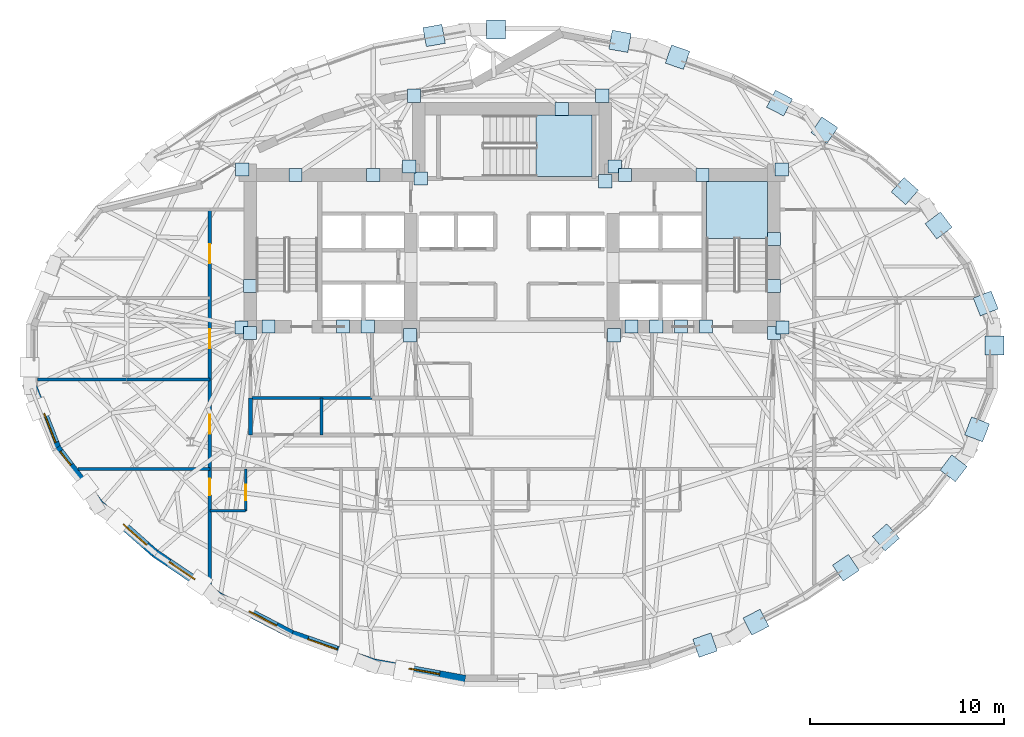
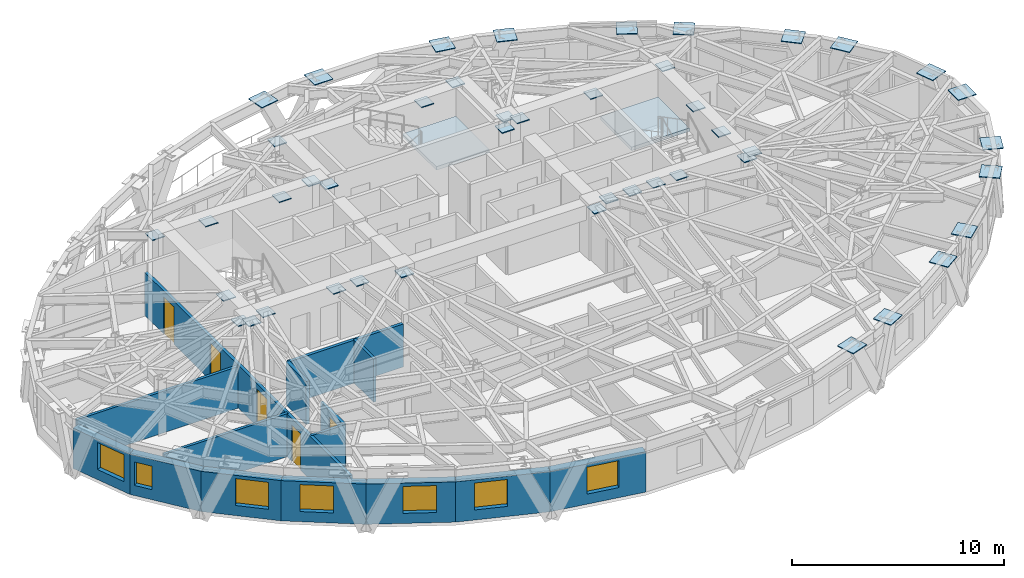
# One storey, part 6 of 14: 45 plates, 15 walls, 7 windows, 5 doors, 2 slabs, 12 openings, 2 elements without a shape of their own.
"""IFC4 building model written with IfcOpenShell, lengths in metres."""

from ifc_helpers import new_model, si_unit, direction, frame, frame_2d, origin, origin_2d, place, context, subcontext, project, spatial, polyline, rectangle, outline, extrude, material, layer, layer_set, type_object, element, fill, aggregate, save


model = new_model("IFC4")

# Units and contexts
model_context = context("Model", 3, precision=1e-05, world=origin(), true_north=direction((0.0, 1.0)))
body_context = subcontext(model_context, "Body", "Model", "MODEL_VIEW")
ifc_project = project(units=[si_unit("LENGTHUNIT", "METRE"), si_unit("AREAUNIT", "SQUARE_METRE"), si_unit("VOLUMEUNIT", "CUBIC_METRE"), si_unit("PLANEANGLEUNIT", "RADIAN"), si_unit("MASSUNIT", "GRAM", prefix="KILO")], contexts=[model_context])

# Site, building, storey
site_placement = place(None, origin())
site = spatial("IfcSite", under=ifc_project, at=site_placement, CompositionType="ELEMENT")
building_placement = place(site_placement, origin())
building = spatial("IfcBuilding", under=site, at=building_placement, Name="Keldmark Tower", CompositionType="ELEMENT")
storey_placement = place(building_placement, frame((0.0, 0.0, 175.800048828125)))
storey = spatial("IfcBuildingStorey", under=building, at=storey_placement, Name="L48", CompositionType="ELEMENT", Elevation=175.800048828125)

# Plates
ifc_material_1 = material(Name="Steel ASTM A572 Grade 50", Category="steel")
ifc_layer_1 = layer(ifc_material_1, 0.06005859375)
ifc_layer_set_1 = layer_set([ifc_layer_1], Name="Steel ASTM A572 Grade 50")
plate_type_1 = type_object("IfcPlateType", Name="Belt Truss Kink Node Assembly KN01 60 mm", PredefinedType="USERDEFINED", material=ifc_layer_set_1)
for number, where, z_axis, x_axis, name in (
    (1, (13.91162109375, 1.473388671875, 2.72412109375), (0.0, 0.0, 1.0), (1.0, 0.0, 0.0), "L48 Core Wall Cast-In Embed Plate 1408"),
    (2, (13.878173828125, 9.608154296875, 2.72412109375), (0.0, 0.0, 1.0), (1.0, 0.0, 0.0), "L48 Core Wall Cast-In Embed Plate 1409"),
    (3, (5.28515625, 9.758544921875, 2.72412109375), (0.0, 0.0, 1.0), (1.0, 0.0, 0.0), "L48 Core Wall Cast-In Embed Plate 1410"),
    (4, (-5.28515625, 9.758544921875, 2.72412109375), (0.0, 0.0, 1.0), (1.0, 0.0, 0.0), "L48 Core Wall Cast-In Embed Plate 1411"),
    (5, (-13.878173828125, 9.608154296875, 2.72412109375), (0.0, 0.0, 1.0), (1.0, 0.0, 0.0), "L48 Core Wall Cast-In Embed Plate 1412"),
    (6, (-13.91162109375, 1.473388671875, 2.72412109375), (0.0, 0.0, 1.0), (1.0, 0.0, 0.0), "L48 Core Wall Cast-In Embed Plate 1413"),
    (7, (-5.24072265625, 1.08251953125, 2.72412109375), (0.0, 0.0, 1.0), (1.0, 0.0, 0.0), "L48 Core Wall Cast-In Embed Plate 1414"),
    (8, (5.24072265625, 1.08251953125, 2.72412109375), (0.0, 0.0, 1.0), (1.0, 0.0, 0.0), "L48 Core Wall Cast-In Embed Plate 1415"),
    (9, (4.800048828125, 9.0, 2.72412109375), (0.0, 0.0, 1.0), (1.0, 0.0, 0.0), "L48 Core Wall Cast-In Embed Plate 1416"),
    (10, (-4.699951171875, 9.139892578125, 2.72412109375), (0.0, 0.0, 1.0), (1.0, 0.0, 0.0), "L48 Core Wall Cast-In Embed Plate 1417"),
    (11, (-13.47509765625, 1.199951171875, 2.72412109375), (0.0, 0.0, 1.0), (1.0, 0.0, 0.0), "L48 Core Wall Cast-In Embed Plate 1418"),
    (12, (-7.425048828125, 1.52490234375, 2.72412109375), (0.0, 0.0, 1.0), (1.0, 0.0, 0.0), "L48 Core Wall Cast-In Embed Plate 1419"),
    (13, (7.425048828125, 1.52490234375, 2.72412109375), (0.0, 0.0, 1.0), (1.0, 0.0, 0.0), "L48 Core Wall Cast-In Embed Plate 1420"),
    (14, (13.47509765625, 1.199951171875, 2.72412109375), (0.0, 0.0, 1.0), (1.0, 0.0, 0.0), "L48 Core Wall Cast-In Embed Plate 1421"),
    (15, (-12.52490234375, 1.52490234375, 2.72412109375), (0.0, 0.0, 1.0), (1.0, 0.0, 0.0), "L48 Core Wall Cast-In Embed Plate 1422"),
    (16, (13.47509765625, 3.6142578125, 2.72412109375), (0.0, 0.0, 1.0), (1.0, 0.0, 0.0), "L48 Core Wall Cast-In Embed Plate 1423"),
    (17, (5.80712890625, 9.324951171875, 2.72412109375), (0.0, 0.0, 1.0), (1.0, 0.0, 0.0), "L48 Core Wall Cast-In Embed Plate 1424"),
    (18, (4.643798828125, 13.400146484375, 2.72412109375), (0.0, 0.0, 1.0), (1.0, 0.0, 0.0), "L48 Core Wall Cast-In Embed Plate 1425"),
    (19, (9.8037109375, 9.324951171875, 2.72412109375), (0.0, 0.0, 1.0), (1.0, 0.0, 0.0), "L48 Core Wall Cast-In Embed Plate 1426"),
    (20, (-5.041259765625, 13.400146484375, 2.72412109375), (0.0, 0.0, 1.0), (1.0, 0.0, 0.0), "L48 Core Wall Cast-In Embed Plate 1427"),
    (21, (-11.1357421875, 9.324951171875, 2.72412109375), (0.0, 0.0, 1.0), (1.0, 0.0, 0.0), "L48 Core Wall Cast-In Embed Plate 1428"),
    (22, (-7.139404296875, 9.324951171875, 2.72412109375), (0.0, 0.0, 1.0), (1.0, 0.0, 0.0), "L48 Core Wall Cast-In Embed Plate 1429"),
    (23, (-13.47509765625, 3.6142578125, 2.72412109375), (0.0, 0.0, 1.0), (1.0, 0.0, 0.0), "L48 Core Wall Cast-In Embed Plate 1430"),
    (24, (-8.699951171875, 1.52490234375, 2.72412109375), (0.0, 0.0, 1.0), (1.0, 0.0, 0.0), "L48 Core Wall Cast-In Embed Plate 1431"),
    (25, (8.699951171875, 1.52490234375, 2.72412109375), (0.0, 0.0, 1.0), (1.0, 0.0, 0.0), "L48 Core Wall Cast-In Embed Plate 1432"),
    (26, (6.14990234375, 1.52490234375, 2.72412109375), (0.0, 0.0, 1.0), (1.0, 0.0, 0.0), "L48 Core Wall Cast-In Embed Plate 1433"),
    (27, (9.97509765625, 1.52490234375, 2.72412109375), (0.0, 0.0, 1.0), (1.0, 0.0, 0.0), "L48 Core Wall Cast-In Embed Plate 1434"),
    (28, (2.5625, 12.72509765625, 2.72412109375), (0.0, 0.0, 1.0), (1.0, 0.0, 0.0), "L48 Core Wall Cast-In Embed Plate 1435"),
    (29, (13.47509765625, 6.028564453125, 2.72412109375), (0.0, 0.0, 1.0), (1.0, 0.0, 0.0), "L48 Core Wall Cast-In Embed Plate 1436"),
):
    element("IfcPlate", number, at=place(storey_placement, frame(where, z_axis=z_axis, x_axis=x_axis)), inside=storey, type_object=plate_type_1, Name=name, ObjectType="CAP PLATE", PredefinedType="USERDEFINED", context=body_context, shape_type="SweptSolid", body=[
        extrude(rectangle(XDim=0.679931640625, YDim=0.679931640625, at=origin_2d()), origin(), (0.0, 0.0, 1.0), 0.054931640625),
    ])
ifc_material_2 = material(Name="Steel ASTM A572 Grade 50", Category="steel")
ifc_layer_2 = layer(ifc_material_2, 0.044921875)
ifc_layer_set_2 = layer_set([ifc_layer_2], Name="Steel ASTM A572 Grade 50")
plate_type_2 = type_object("IfcPlateType", Name="Diagrid Node Assembly DN04 45 mm", PredefinedType="USERDEFINED", material=ifc_layer_set_2)
for number, where, z_axis, x_axis, name in (
    (30, (24.37158203125, 2.715087890625, 2.87744140625), (0.0, 0.0, 1.0), (-0.365364233984, 0.930864639207, 0.0), "L48 Diagrid Node Assembly 01"),
    (31, (21.949462890625, 6.727294921875, 2.87744140625), (0.0, 0.0, 1.0), (-0.604599114862, 0.796529918024, 0.0), "L48 Diagrid Node Assembly 02"),
    (32, (20.210693359375, 8.498046875, 2.87744140625), (0.0, 0.0, 1.0), (-0.749533680611, 0.661966208828, 0.0), "L48 Diagrid Node Assembly 03"),
    (33, (16.072998046875, 11.631103515625, 2.87744140625), (0.0, 0.0, 1.0), (-0.827766671236, 0.56107248907, 0.0), "L48 Diagrid Node Assembly 04"),
    (34, (13.76318359375, 13.027587890625, 2.87744140625), (0.0, 0.0, 1.0), (-0.887091410004, 0.461593793608, 0.0), "L48 Diagrid Node Assembly 05"),
    (35, (8.516357421875, 15.385009765625, 2.87744140625), (0.0, 0.0, 1.0), (-0.944204046619, 0.329361075947, 0.0), "L48 Diagrid Node Assembly 06"),
    (36, (5.5595703125, 16.2021484375, 2.87744140625), (0.0, 0.0, 1.0), (-0.984102751709, 0.177600039637, 0.0), "L48 Diagrid Node Assembly 07"),
    (37, (-0.82275390625, 16.805419921875, 2.87744140625), (0.0, 0.0, 1.0), (-1.0, 0.0, 0.0), "L48 Diagrid Node Assembly 08"),
    (38, (-4.0078125, 16.502685546875, 2.87744140625), (0.0, 0.0, 1.0), (-0.984102751709, -0.177600039637, 0.0), "L48 Diagrid Node Assembly 09"),
    (39, (9.931884765625, -14.861328125, 2.87744140625), (0.0, 0.0, 1.0), (0.944204046619, 0.329361075947, 0.0), "L48 Diagrid Node Assembly 26"),
    (40, (12.54931640625, -13.68408203125, 2.87744140625), (0.0, 0.0, 1.0), (0.887091410004, 0.461593793608, 0.0), "L48 Diagrid Node Assembly 27"),
    (41, (17.175537109375, -10.881103515625, 2.87744140625), (0.0, 0.0, 1.0), (0.827766671236, 0.56107248907, 0.0), "L48 Diagrid Node Assembly 28"),
    (42, (19.2392578125, -9.31787109375, 2.87744140625), (0.0, 0.0, 1.0), (0.749533680611, 0.661966208828, 0.0), "L48 Diagrid Node Assembly 29"),
    (43, (22.719482421875, -5.76416015625, 2.87744140625), (0.0, 0.0, 1.0), (0.604599114862, 0.796529918024, 0.0), "L48 Diagrid Node Assembly 30"),
    (44, (23.92724609375, -3.76318359375, 2.87744140625), (0.0, 0.0, 1.0), (0.365364233984, 0.930864639207, 0.0), "L48 Diagrid Node Assembly 31"),
    (45, (24.818359375, 0.5595703125, 2.87744140625), (0.0, 0.0, 1.0), (0.0, 1.0, 0.0), "L48 Diagrid Node Assembly 32"),
):
    element("IfcPlate", number, at=place(storey_placement, frame(where, z_axis=z_axis, x_axis=x_axis)), inside=storey, type_object=plate_type_2, Name=name, ObjectType="GUSSET", PredefinedType="USERDEFINED", context=body_context, shape_type="SweptSolid", body=[
        extrude(rectangle(XDim=0.989990234375, YDim=0.989990234375, at=origin_2d()), origin(), (0.0, 0.0, 1.0), 0.044921875),
    ])

# Stair, slab
ifc_material_3 = material(Name="Concrete C40/50", Category="concrete")
stair_type = type_object("IfcStairType", Name="Precast Concrete Core Exit Stair", PredefinedType="HALF_TURN_STAIR", material=ifc_material_3)
stair_1_placement = place(storey_placement, origin())
stair_1 = element("IfcStair", 46, at=stair_1_placement, inside=storey, type_object=stair_type, Name="L48 Exit Stair ST2", PredefinedType="HALF_TURN_STAIR")
ifc_material_4 = material(Name="Concrete C40/50", Category="concrete")
ifc_layer_3 = layer(ifc_material_4, 0.199951171875)
ifc_layer_set_3 = layer_set([ifc_layer_3], Name="Concrete C40/50")
slab_type = type_object("IfcSlabType", Name="Reinforced Concrete Stair Landing 200 mm", PredefinedType="LANDING", material=ifc_layer_set_3)
slab_1_placement = place(storey_placement, frame((0.0, 0.0, 1.39990234375)))
slab_1 = element("IfcSlab", 47, at=slab_1_placement, type_object=slab_type, Name="ST2 landing 1", PredefinedType="LANDING", context=body_context, shape_type="SweptSolid", body=[
    extrude(outline(polyline([(13.14990234375, 6.050048828125), (13.14990234375, 9.0), (10.0, 9.0), (10.0, 6.050048828125), (13.14990234375, 6.050048828125)])), origin(), (0.0, 0.0, 1.0), 0.199951171875),
])
aggregate(stair_1, [slab_1])

stair_2_placement = place(storey_placement, origin())
stair_2 = element("IfcStair", 48, at=stair_2_placement, inside=storey, type_object=stair_type, Name="L48 Exit Stair ST3", PredefinedType="HALF_TURN_STAIR")
slab_2_placement = place(storey_placement, frame((0.0, 0.0, 1.39990234375)))
slab_2 = element("IfcSlab", 49, at=slab_2_placement, type_object=slab_type, Name="ST3 landing 1", PredefinedType="LANDING", context=body_context, shape_type="SweptSolid", body=[
    extrude(outline(polyline([(1.22509765625, 9.25), (4.10498046875, 9.25), (4.10498046875, 12.39990234375), (1.22509765625, 12.39990234375), (1.22509765625, 9.25)])), origin(), (0.0, 0.0, 1.0), 0.199951171875),
])
aggregate(stair_2, [slab_2])

# Walls
ifc_material_5 = material(Name="Heavy Acoustic Plumbing Chase Gypsum Assembly", Category="gypsum")
ifc_layer_4 = layer(ifc_material_5, 0.18994140625)
ifc_layer_set_4 = layer_set([ifc_layer_4], Name="Heavy Acoustic Plumbing Chase Gypsum Assembly")
wall_type_1 = type_object("IfcWallType", Name="Heavy Wet Wall 190 mm", PredefinedType="PLUMBINGWALL", material=ifc_layer_set_4)
wall_1_placement = place(storey_placement, frame((-13.449951171875, -4.050048828125, 0.0), z_axis=(0.0, 0.0, 1.0), x_axis=(0.0, 1.0, 0.0)))
element("IfcWall", 50, at=wall_1_placement, inside=storey, type_object=wall_type_1, Name="L48 Heavy Wet Wall 190 mm SPK-W-W", PredefinedType="PLUMBINGWALL", context=body_context, shape_type="SweptSolid", body=[
    extrude(rectangle(XDim=1.900146484375, YDim=0.18994140625, at=frame_2d((0.9501953125, 0.0))), origin(), (0.0, 0.0, 1.0), 2.472900390625),
])
ifc_material_6 = material(Name="Type X Fire-Rated Gypsum Partition Assembly", Category="gypsum")
ifc_layer_5 = layer(ifc_material_6, 0.1650390625)
ifc_layer_set_5 = layer_set([ifc_layer_5], Name="Type X Fire-Rated Gypsum Partition Assembly")
wall_type_2 = type_object("IfcWallType", Name="Rated Partition 165 mm", PredefinedType="PARTITIONING", material=ifc_layer_set_5)
wall_2_placement = place(storey_placement, frame((-13.449951171875, -2.14990234375, 0.0), z_axis=(0.0, 0.0, 1.0), x_axis=(1.0, 0.0, 0.0)))
element("IfcWall", 51, at=wall_2_placement, inside=storey, type_object=wall_type_2, Name="L48 Rated Partition 165 mm FSAE-W-S", PredefinedType="PARTITIONING", context=body_context, shape_type="SweptSolid", body=[
    extrude(rectangle(XDim=6.25, YDim=0.1650390625, at=frame_2d((3.125, 0.0))), origin(), (0.0, 0.0, 1.0), 2.472900390625),
])

# Wall, openings, doors
wall_3_placement = place(storey_placement, frame((-15.550048828125, -11.77099609375, 0.0), z_axis=(0.0, 0.0, 1.0), x_axis=(0.0, 1.0, 0.0)))
wall_3 = element("IfcWall", 52, at=wall_3_placement, inside=storey, type_object=wall_type_2, Name="L48 Rated Partition 165 mm HCOR-W", PredefinedType="PARTITIONING", context=body_context, shape_type="SweptSolid", body=[
    extrude(rectangle(XDim=19.321044921875, YDim=0.1650390625, at=frame_2d((9.66064453125, 0.0))), origin(), (0.0, 0.0, 1.0), 2.472900390625),
])
opening_1_placement = place(wall_3_placement, frame((4.62060546875, 0.0, 0.0)))
opening_1 = element("IfcOpeningElement", 53, at=opening_1_placement, cuts=wall_3, Name="Opening D-IN085", PredefinedType="OPENING", context=body_context, shape_type="SweptSolid", body=[
    extrude(rectangle(XDim=0.85009765625, YDim=2.10009765625, at=frame_2d((0.425048828125, 1.050048828125))), frame((0.0, 0.092529296875, 0.0), z_axis=(0.0, -1.0, 0.0), x_axis=(1.0, 0.0, 0.0)), (0.0, 0.0, 1.0), 0.18505859375),
])
opening_2_placement = place(wall_3_placement, frame((7.771484375, 0.0, 0.0)))
opening_2 = element("IfcOpeningElement", 54, at=opening_2_placement, cuts=wall_3, Name="Opening D-FD100", PredefinedType="OPENING", context=body_context, shape_type="SweptSolid", body=[
    extrude(rectangle(XDim=1.0, YDim=2.14990234375, at=frame_2d((0.5, 1.074951171875))), frame((0.0, 0.092529296875, 0.0), z_axis=(0.0, -1.0, 0.0), x_axis=(1.0, 0.0, 0.0)), (0.0, 0.0, 1.0), 0.18505859375),
])
opening_3_placement = place(wall_3_placement, frame((12.171630859375, 0.0, 0.0)))
opening_3 = element("IfcOpeningElement", 55, at=opening_3_placement, cuts=wall_3, Name="Opening D-FD100", PredefinedType="OPENING", context=body_context, shape_type="SweptSolid", body=[
    extrude(rectangle(XDim=1.0, YDim=2.14990234375, at=frame_2d((0.5, 1.074951171875))), frame((0.0, 0.092529296875, 0.0), z_axis=(0.0, -1.0, 0.0), x_axis=(1.0, 0.0, 0.0)), (0.0, 0.0, 1.0), 0.18505859375),
])
opening_4_placement = place(wall_3_placement, frame((16.546630859375, 0.0, 0.0)))
opening_4 = element("IfcOpeningElement", 56, at=opening_4_placement, cuts=wall_3, Name="Opening D-FD100", PredefinedType="OPENING", context=body_context, shape_type="SweptSolid", body=[
    extrude(rectangle(XDim=1.0, YDim=2.14990234375, at=frame_2d((0.5, 1.074951171875))), frame((0.0, 0.092529296875, 0.0), z_axis=(0.0, -1.0, 0.0), x_axis=(1.0, 0.0, 0.0)), (0.0, 0.0, 1.0), 0.18505859375),
])
ifc_material_7 = material(Name="Hollow Metal Fire-Rated Corridor Door", Category="metal")
door_type_1 = type_object("IfcDoorType", Name="Fire Door 1000x2150", OperationType="NOTDEFINED", PredefinedType="DOOR", material=ifc_material_7)
door_1_placement = place(opening_2_placement, origin())
door_1 = element("IfcDoor", 57, at=door_1_placement, inside=storey, type_object=door_type_1, Name="L48 Fire Door 1000x2150 D-HWSP-1-L48", OperationType="SINGLE_SWING_RIGHT", OverallHeight=2.14990234375, OverallWidth=1.0, PredefinedType="DOOR", context=body_context, shape_type="SweptSolid", body=[
    extrude(rectangle(XDim=1.0, YDim=2.14990234375, at=frame_2d((0.5, 1.074951171875))), frame((0.0, 0.02490234375, 0.0), z_axis=(0.0, -1.0, 0.0), x_axis=(1.0, 0.0, 0.0)), (0.0, 0.0, 1.0), 0.050048828125),
])
fill(opening_2, door_1)
door_2_placement = place(opening_3_placement, origin())
door_2 = element("IfcDoor", 58, at=door_2_placement, inside=storey, type_object=door_type_1, Name="L48 Fire Door 1000x2150 D-HWSP-2-L48", OperationType="SINGLE_SWING_LEFT", OverallHeight=2.14990234375, OverallWidth=1.0, PredefinedType="DOOR", context=body_context, shape_type="SweptSolid", body=[
    extrude(rectangle(XDim=1.0, YDim=2.14990234375, at=frame_2d((0.5, 1.074951171875))), frame((0.0, 0.02490234375, 0.0), z_axis=(0.0, -1.0, 0.0), x_axis=(1.0, 0.0, 0.0)), (0.0, 0.0, 1.0), 0.050048828125),
])
fill(opening_3, door_2)
door_3_placement = place(opening_4_placement, origin())
door_3 = element("IfcDoor", 59, at=door_3_placement, inside=storey, type_object=door_type_1, Name="L48 Fire Door 1000x2150 D-HWSP-3-L48", OperationType="SINGLE_SWING_LEFT", OverallHeight=2.14990234375, OverallWidth=1.0, PredefinedType="DOOR", context=body_context, shape_type="SweptSolid", body=[
    extrude(rectangle(XDim=1.0, YDim=2.14990234375, at=frame_2d((0.5, 1.074951171875))), frame((0.0, 0.02490234375, 0.0), z_axis=(0.0, -1.0, 0.0), x_axis=(1.0, 0.0, 0.0)), (0.0, 0.0, 1.0), 0.050048828125),
])
fill(opening_4, door_3)
ifc_material_8 = material(Name="Painted Architectural Wood", Category="wood")
door_type_2 = type_object("IfcDoorType", Name="Interior Door 850x2100", OperationType="NOTDEFINED", PredefinedType="DOOR", material=ifc_material_8)
door_4_placement = place(opening_1_placement, origin())
door_4 = element("IfcDoor", 60, at=door_4_placement, inside=storey, type_object=door_type_2, Name="L48 Interior Door 850x2100 D-HKSW-L48", OperationType="SINGLE_SWING_LEFT", OverallHeight=2.10009765625, OverallWidth=0.85009765625, PredefinedType="DOOR", context=body_context, shape_type="SweptSolid", body=[
    extrude(rectangle(XDim=0.85009765625, YDim=2.10009765625, at=frame_2d((0.425048828125, 1.050048828125))), frame((0.0, 0.02490234375, 0.0), z_axis=(0.0, -1.0, 0.0), x_axis=(1.0, 0.0, 0.0)), (0.0, 0.0, 1.0), 0.050048828125),
])
fill(opening_1, door_4)

# Wall, opening, window
ifc_material_9 = material(Name="Ironspot Manganese Brick and Kasota Buff Limestone Spandrel Assembly", Category="masonry")
ifc_layer_6 = layer(ifc_material_9, 0.43994140625)
ifc_layer_set_6 = layer_set([ifc_layer_6], Name="Ironspot Manganese Brick and Kasota Buff Limestone Spandrel Assembly")
wall_type_3 = type_object("IfcWallType", Name="Tower Brick Pier and Spandrel Wall 440 mm", PredefinedType="STANDARD", material=ifc_layer_set_6)
wall_4_placement = place(storey_placement, frame((-23.39697265625, -4.773193359375, 0.0), z_axis=(0.0, 0.0, 1.0), x_axis=(-0.365421225195, 0.930842268151, 0.0)))
wall_4 = element("IfcWall", 61, at=wall_4_placement, inside=storey, type_object=wall_type_3, Name="L48 Exterior Brick and Spandrel Wall 17", PredefinedType="STANDARD", context=body_context, shape_type="SweptSolid", body=[
    extrude(rectangle(XDim=3.431396484375, YDim=0.43994140625, at=frame_2d((1.7158203125, 0.0))), origin(), (0.0, 0.0, 1.0), 2.31494140625),
])
opening_5_placement = place(wall_4_placement, frame((0.34814453125, 0.0, 0.580078125)))
opening_5 = element("IfcOpeningElement", 62, at=opening_5_placement, cuts=wall_4, Name="Opening W-04", PredefinedType="OPENING", context=body_context, shape_type="SweptSolid", body=[
    extrude(rectangle(XDim=1.60009765625, YDim=1.550048828125, at=frame_2d((0.800048828125, 0.77490234375))), frame((0.0, 0.22998046875, 0.0), z_axis=(0.0, -1.0, 0.0), x_axis=(1.0, 0.0, 0.0)), (0.0, 0.0, 1.0), 0.4599609375),
])
ifc_material_10 = material(Name="Thermally Broken Anodized Aluminum and Triple Low-E Argon Glazing", Category="aluminium")
window_type_1 = type_object("IfcWindowType", Name="Hotel Deep-Set Operable Window 1600x1550", PartitioningType="DOUBLE_PANEL_HORIZONTAL", PredefinedType="WINDOW", material=ifc_material_10)
window_1_placement = place(opening_5_placement, origin())
window_1 = element("IfcWindow", 63, at=window_1_placement, inside=storey, type_object=window_type_1, Name="L48 Deep-Set Window 17", OverallHeight=1.550048828125, OverallWidth=1.60009765625, PartitioningType="SINGLE_PANEL", PredefinedType="WINDOW", context=body_context, shape_type="SweptSolid", body=[
    extrude(rectangle(XDim=1.60009765625, YDim=1.550048828125, at=frame_2d((0.800048828125, 0.77490234375))), frame((0.0, -0.010009765625, 0.0), z_axis=(0.0, -1.0, 0.0), x_axis=(1.0, 0.0, 0.0)), (0.0, 0.0, 1.0), 0.06005859375),
])
fill(opening_5, window_1)

wall_5_placement = place(storey_placement, frame((-21.22509765625, -7.621337890625, 0.0), z_axis=(0.0, 0.0, 1.0), x_axis=(-0.604517065871, 0.796592189939, 0.0)))
wall_5 = element("IfcWall", 64, at=wall_5_placement, inside=storey, type_object=wall_type_3, Name="L48 Exterior Brick and Spandrel Wall 18", PredefinedType="STANDARD", context=body_context, shape_type="SweptSolid", body=[
    extrude(rectangle(XDim=3.6416015625, YDim=0.43994140625, at=frame_2d((1.82080078125, 0.0))), origin(), (0.0, 0.0, 1.0), 2.31494140625),
])
opening_6_placement = place(wall_5_placement, frame((2.49169921875, 0.0, 0.580078125)))
opening_6 = element("IfcOpeningElement", 65, at=opening_6_placement, cuts=wall_5, Name="Opening W-09", PredefinedType="OPENING", context=body_context, shape_type="SweptSolid", body=[
    extrude(rectangle(XDim=0.89990234375, YDim=1.35009765625, at=frame_2d((0.449951171875, 0.675048828125))), frame((0.0, 0.22998046875, 0.0), z_axis=(0.0, -1.0, 0.0), x_axis=(1.0, 0.0, 0.0)), (0.0, 0.0, 1.0), 0.4599609375),
])
ifc_material_11 = material(Name="Thermally Broken Anodized Aluminum and Triple Low-E Argon Glazing", Category="aluminium")
window_type_2 = type_object("IfcWindowType", Name="Corner Pier Deep-Set Window 900x1350", PartitioningType="SINGLE_PANEL", PredefinedType="WINDOW", material=ifc_material_11)
window_2_placement = place(opening_6_placement, origin())
window_2 = element("IfcWindow", 66, at=window_2_placement, inside=storey, type_object=window_type_2, Name="L48 Deep-Set Window 18", OverallHeight=1.35009765625, OverallWidth=0.89990234375, PartitioningType="SINGLE_PANEL", PredefinedType="WINDOW", context=body_context, shape_type="SweptSolid", body=[
    extrude(rectangle(XDim=0.89990234375, YDim=1.35009765625, at=frame_2d((0.449951171875, 0.675048828125))), frame((0.0, -0.010009765625, 0.0), z_axis=(0.0, -1.0, 0.0), x_axis=(1.0, 0.0, 0.0)), (0.0, 0.0, 1.0), 0.06005859375),
])
fill(opening_6, window_2)

wall_6_placement = place(storey_placement, frame((-18.37060546875, -10.136474609375, 0.0), z_axis=(0.0, 0.0, 1.0), x_axis=(-0.749530401757, 0.661969921403, 0.0)))
wall_6 = element("IfcWall", 67, at=wall_6_placement, inside=storey, type_object=wall_type_3, Name="L48 Exterior Brick and Spandrel Wall 19", PredefinedType="STANDARD", context=body_context, shape_type="SweptSolid", body=[
    extrude(rectangle(XDim=3.847900390625, YDim=0.43994140625, at=frame_2d((1.923828125, 0.0))), origin(), (0.0, 0.0, 1.0), 2.31494140625),
])
opening_7_placement = place(wall_6_placement, frame((0.599609375, 0.0, 0.580078125)))
opening_7 = element("IfcOpeningElement", 68, at=opening_7_placement, cuts=wall_6, Name="Opening W-04", PredefinedType="OPENING", context=body_context, shape_type="SweptSolid", body=[
    extrude(rectangle(XDim=1.60009765625, YDim=1.550048828125, at=frame_2d((0.800048828125, 0.77490234375))), frame((0.0, 0.22998046875, 0.0), z_axis=(0.0, -1.0, 0.0), x_axis=(1.0, 0.0, 0.0)), (0.0, 0.0, 1.0), 0.4599609375),
])
window_3_placement = place(opening_7_placement, origin())
window_3 = element("IfcWindow", 69, at=window_3_placement, inside=storey, type_object=window_type_1, Name="L48 Deep-Set Window 19", OverallHeight=1.550048828125, OverallWidth=1.60009765625, PartitioningType="SINGLE_PANEL", PredefinedType="WINDOW", context=body_context, shape_type="SweptSolid", body=[
    extrude(rectangle(XDim=1.60009765625, YDim=1.550048828125, at=frame_2d((0.800048828125, 0.77490234375))), frame((0.0, -0.010009765625, 0.0), z_axis=(0.0, -1.0, 0.0), x_axis=(1.0, 0.0, 0.0)), (0.0, 0.0, 1.0), 0.06005859375),
])
fill(opening_7, window_3)

wall_7_placement = place(storey_placement, frame((-15.072509765625, -12.3701171875, 0.0), z_axis=(0.0, 0.0, 1.0), x_axis=(-0.827746348969, 0.561102469937, 0.0)))
wall_7 = element("IfcWall", 70, at=wall_7_placement, inside=storey, type_object=wall_type_3, Name="L48 Exterior Brick and Spandrel Wall 20", PredefinedType="STANDARD", context=body_context, shape_type="SweptSolid", body=[
    extrude(rectangle(XDim=4.01123046875, YDim=0.43994140625, at=frame_2d((2.005615234375, 0.0))), origin(), (0.0, 0.0, 1.0), 2.31494140625),
])
opening_8_placement = place(wall_7_placement, frame((1.5244140625, 0.0, 0.580078125)))
opening_8 = element("IfcOpeningElement", 71, at=opening_8_placement, cuts=wall_7, Name="Opening W-04", PredefinedType="OPENING", context=body_context, shape_type="SweptSolid", body=[
    extrude(rectangle(XDim=1.60009765625, YDim=1.550048828125, at=frame_2d((0.800048828125, 0.77490234375))), frame((0.0, 0.22998046875, 0.0), z_axis=(0.0, -1.0, 0.0), x_axis=(1.0, 0.0, 0.0)), (0.0, 0.0, 1.0), 0.4599609375),
])
window_4_placement = place(opening_8_placement, origin())
window_4 = element("IfcWindow", 72, at=window_4_placement, inside=storey, type_object=window_type_1, Name="L48 Deep-Set Window 20", OverallHeight=1.550048828125, OverallWidth=1.60009765625, PartitioningType="SINGLE_PANEL", PredefinedType="WINDOW", context=body_context, shape_type="SweptSolid", body=[
    extrude(rectangle(XDim=1.60009765625, YDim=1.550048828125, at=frame_2d((0.800048828125, 0.77490234375))), frame((0.0, -0.010009765625, 0.0), z_axis=(0.0, -1.0, 0.0), x_axis=(1.0, 0.0, 0.0)), (0.0, 0.0, 1.0), 0.06005859375),
])
fill(opening_8, window_4)

wall_8_placement = place(storey_placement, frame((-11.337158203125, -14.31201171875, 0.0), z_axis=(0.0, 0.0, 1.0), x_axis=(-0.887117685078, 0.461543294634, 0.0)))
wall_8 = element("IfcWall", 73, at=wall_8_placement, inside=storey, type_object=wall_type_3, Name="L48 Exterior Brick and Spandrel Wall 21", PredefinedType="STANDARD", context=body_context, shape_type="SweptSolid", body=[
    extrude(rectangle(XDim=4.2353515625, YDim=0.43994140625, at=frame_2d((2.11767578125, 0.0))), origin(), (0.0, 0.0, 1.0), 2.31494140625),
])
opening_9_placement = place(wall_8_placement, frame((0.8955078125, 0.0, 0.580078125)))
opening_9 = element("IfcOpeningElement", 74, at=opening_9_placement, cuts=wall_8, Name="Opening W-04", PredefinedType="OPENING", context=body_context, shape_type="SweptSolid", body=[
    extrude(rectangle(XDim=1.60009765625, YDim=1.550048828125, at=frame_2d((0.800048828125, 0.77490234375))), frame((0.0, 0.22998046875, 0.0), z_axis=(0.0, -1.0, 0.0), x_axis=(1.0, 0.0, 0.0)), (0.0, 0.0, 1.0), 0.4599609375),
])
window_5_placement = place(opening_9_placement, origin())
window_5 = element("IfcWindow", 75, at=window_5_placement, inside=storey, type_object=window_type_1, Name="L48 Deep-Set Window 21", OverallHeight=1.550048828125, OverallWidth=1.60009765625, PartitioningType="SINGLE_PANEL", PredefinedType="WINDOW", context=body_context, shape_type="SweptSolid", body=[
    extrude(rectangle(XDim=1.60009765625, YDim=1.550048828125, at=frame_2d((0.800048828125, 0.77490234375))), frame((0.0, -0.010009765625, 0.0), z_axis=(0.0, -1.0, 0.0), x_axis=(1.0, 0.0, 0.0)), (0.0, 0.0, 1.0), 0.06005859375),
])
fill(opening_9, window_5)

wall_9_placement = place(storey_placement, frame((-7.0869140625, -15.7919921875, 0.0), z_axis=(0.0, 0.0, 1.0), x_axis=(-0.944223944927, 0.329304026434, 0.0)))
wall_9 = element("IfcWall", 76, at=wall_9_placement, inside=storey, type_object=wall_type_3, Name="L48 Exterior Brick and Spandrel Wall 22", PredefinedType="STANDARD", context=body_context, shape_type="SweptSolid", body=[
    extrude(rectangle(XDim=4.531982421875, YDim=0.43994140625, at=frame_2d((2.26611328125, 0.0))), origin(), (0.0, 0.0, 1.0), 2.31494140625),
])
opening_10_placement = place(wall_9_placement, frame((2.036865234375, 0.0, 0.580078125)))
opening_10 = element("IfcOpeningElement", 77, at=opening_10_placement, cuts=wall_9, Name="Opening W-04", PredefinedType="OPENING", context=body_context, shape_type="SweptSolid", body=[
    extrude(rectangle(XDim=1.60009765625, YDim=1.550048828125, at=frame_2d((0.800048828125, 0.77490234375))), frame((0.0, 0.22998046875, 0.0), z_axis=(0.0, -1.0, 0.0), x_axis=(1.0, 0.0, 0.0)), (0.0, 0.0, 1.0), 0.4599609375),
])
window_6_placement = place(opening_10_placement, origin())
window_6 = element("IfcWindow", 78, at=window_6_placement, inside=storey, type_object=window_type_1, Name="L48 Deep-Set Window 22", OverallHeight=1.550048828125, OverallWidth=1.60009765625, PartitioningType="SINGLE_PANEL", PredefinedType="WINDOW", context=body_context, shape_type="SweptSolid", body=[
    extrude(rectangle(XDim=1.60009765625, YDim=1.550048828125, at=frame_2d((0.800048828125, 0.77490234375))), frame((0.0, -0.010009765625, 0.0), z_axis=(0.0, -1.0, 0.0), x_axis=(1.0, 0.0, 0.0)), (0.0, 0.0, 1.0), 0.06005859375),
])
fill(opening_10, window_6)

wall_10_placement = place(storey_placement, frame((-2.408935546875, -16.63330078125, 0.0), z_axis=(0.0, 0.0, 1.0), x_axis=(-0.984108907768, 0.177565924803, 0.0)))
wall_10 = element("IfcWall", 79, at=wall_10_placement, inside=storey, type_object=wall_type_3, Name="L48 Exterior Brick and Spandrel Wall 23", PredefinedType="STANDARD", context=body_context, shape_type="SweptSolid", body=[
    extrude(rectangle(XDim=4.78759765625, YDim=0.43994140625, at=frame_2d((2.393798828125, 0.0))), origin(), (0.0, 0.0, 1.0), 2.31494140625),
])
opening_11_placement = place(wall_10_placement, frame((1.3447265625, 0.0, 0.580078125)))
opening_11 = element("IfcOpeningElement", 80, at=opening_11_placement, cuts=wall_10, Name="Opening W-04", PredefinedType="OPENING", context=body_context, shape_type="SweptSolid", body=[
    extrude(rectangle(XDim=1.60009765625, YDim=1.550048828125, at=frame_2d((0.800048828125, 0.77490234375))), frame((0.0, 0.22998046875, 0.0), z_axis=(0.0, -1.0, 0.0), x_axis=(1.0, 0.0, 0.0)), (0.0, 0.0, 1.0), 0.4599609375),
])
window_7_placement = place(opening_11_placement, origin())
window_7 = element("IfcWindow", 81, at=window_7_placement, inside=storey, type_object=window_type_1, Name="L48 Deep-Set Window 23", OverallHeight=1.550048828125, OverallWidth=1.60009765625, PartitioningType="SINGLE_PANEL", PredefinedType="WINDOW", context=body_context, shape_type="SweptSolid", body=[
    extrude(rectangle(XDim=1.60009765625, YDim=1.550048828125, at=frame_2d((0.800048828125, 0.77490234375))), frame((0.0, -0.010009765625, 0.0), z_axis=(0.0, -1.0, 0.0), x_axis=(1.0, 0.0, 0.0)), (0.0, 0.0, 1.0), 0.06005859375),
])
fill(opening_11, window_7)

# Walls
ifc_material_12 = material(Name="Moisture-Resistant Gypsum Plumbing Partition", Category="gypsum")
ifc_layer_7 = layer(ifc_material_12, 0.14990234375)
ifc_layer_set_7 = layer_set([ifc_layer_7], Name="Moisture-Resistant Gypsum Plumbing Partition")
wall_type_4 = type_object("IfcWallType", Name="Wet Wall 150 mm", PredefinedType="PLUMBINGWALL", material=ifc_layer_set_7)
wall_11_placement = place(storey_placement, frame((-9.800048828125, -4.050048828125, 0.0), z_axis=(0.0, 0.0, 1.0), x_axis=(0.0, 1.0, 0.0)))
element("IfcWall", 82, at=wall_11_placement, inside=storey, type_object=wall_type_4, Name="L48 Wet Wall 150 mm SPK-W-D1", PredefinedType="PLUMBINGWALL", context=body_context, shape_type="SweptSolid", body=[
    extrude(rectangle(XDim=1.900146484375, YDim=0.14990234375, at=frame_2d((0.9501953125, 0.0))), origin(), (0.0, 0.0, 1.0), 2.472900390625),
])
wall_12_placement = place(storey_placement, frame((-22.321044921875, -5.800048828125, 0.0), z_axis=(0.0, 0.0, 1.0), x_axis=(1.0, 0.0, 0.0)))
element("IfcWall", 83, at=wall_12_placement, inside=storey, type_object=wall_type_4, Name="L48 Wet Wall 150 mm HW-CAP-S", PredefinedType="PLUMBINGWALL", context=body_context, shape_type="SweptSolid", body=[
    extrude(rectangle(XDim=6.77099609375, YDim=0.14990234375, at=frame_2d((3.385498046875, 0.0))), origin(), (0.0, 0.0, 1.0), 2.472900390625),
])

# Wall, opening, door
wall_13_placement = place(storey_placement, frame((-13.699951171875, -7.949951171875, 0.0), z_axis=(0.0, 0.0, 1.0), x_axis=(0.0, 1.0, 0.0)))
wall_13 = element("IfcWall", 84, at=wall_13_placement, inside=storey, type_object=wall_type_4, Name="L48 Wet Wall 150 mm HB-S1-E", PredefinedType="PLUMBINGWALL", context=body_context, shape_type="SweptSolid", body=[
    extrude(rectangle(XDim=2.14990234375, YDim=0.14990234375, at=frame_2d((1.074951171875, 0.0))), origin(), (0.0, 0.0, 1.0), 2.472900390625),
])
opening_12_placement = place(wall_13_placement, frame((0.550048828125, 0.0, 0.0)))
opening_12 = element("IfcOpeningElement", 85, at=opening_12_placement, cuts=wall_13, Name="Opening D-BT080", PredefinedType="OPENING", context=body_context, shape_type="SweptSolid", body=[
    extrude(rectangle(XDim=0.800048828125, YDim=2.10009765625, at=frame_2d((0.39990234375, 1.050048828125))), frame((0.0, 0.0849609375, 0.0), z_axis=(0.0, -1.0, 0.0), x_axis=(1.0, 0.0, 0.0)), (0.0, 0.0, 1.0), 0.169921875),
])
ifc_material_13 = material(Name="Moisture-Sealed Stained Wood", Category="wood")
door_type_3 = type_object("IfcDoorType", Name="Bathroom Door 800x2100", OperationType="NOTDEFINED", PredefinedType="DOOR", material=ifc_material_13)
door_5_placement = place(opening_12_placement, origin())
door_5 = element("IfcDoor", 86, at=door_5_placement, inside=storey, type_object=door_type_3, Name="L48 Bathroom Door 800x2100 D-HBS1-L48", OperationType="SINGLE_SWING_RIGHT", OverallHeight=2.10009765625, OverallWidth=0.800048828125, PredefinedType="DOOR", context=body_context, shape_type="SweptSolid", body=[
    extrude(rectangle(XDim=0.800048828125, YDim=2.10009765625, at=frame_2d((0.39990234375, 1.050048828125))), frame((0.0, 0.02490234375, 0.0), z_axis=(0.0, -1.0, 0.0), x_axis=(1.0, 0.0, 0.0)), (0.0, 0.0, 1.0), 0.050048828125),
])
fill(opening_12, door_5)

# Walls
wall_14_placement = place(storey_placement, frame((-15.550048828125, -7.949951171875, 0.0), z_axis=(0.0, 0.0, 1.0), x_axis=(1.0, 0.0, 0.0)))
element("IfcWall", 87, at=wall_14_placement, inside=storey, type_object=wall_type_4, Name="L48 Wet Wall 150 mm HB-S1-S", PredefinedType="PLUMBINGWALL", context=body_context, shape_type="SweptSolid", body=[
    extrude(rectangle(XDim=1.85009765625, YDim=0.14990234375, at=frame_2d((0.925048828125, 0.0))), origin(), (0.0, 0.0, 1.0), 2.472900390625),
])
wall_15_placement = place(storey_placement, frame((-24.40771484375, -1.199951171875, 0.0), z_axis=(0.0, 0.0, 1.0), x_axis=(1.0, 0.0, 0.0)))
element("IfcWall", 88, at=wall_15_placement, inside=storey, type_object=wall_type_4, Name="L48 Wet Wall 150 mm HW-DIV-1", PredefinedType="PLUMBINGWALL", context=body_context, shape_type="SweptSolid", body=[
    extrude(rectangle(XDim=8.857666015625, YDim=0.14990234375, at=frame_2d((4.4287109375, 0.0))), origin(), (0.0, 0.0, 1.0), 2.39794921875),
])

save(model, "model.ifc")
